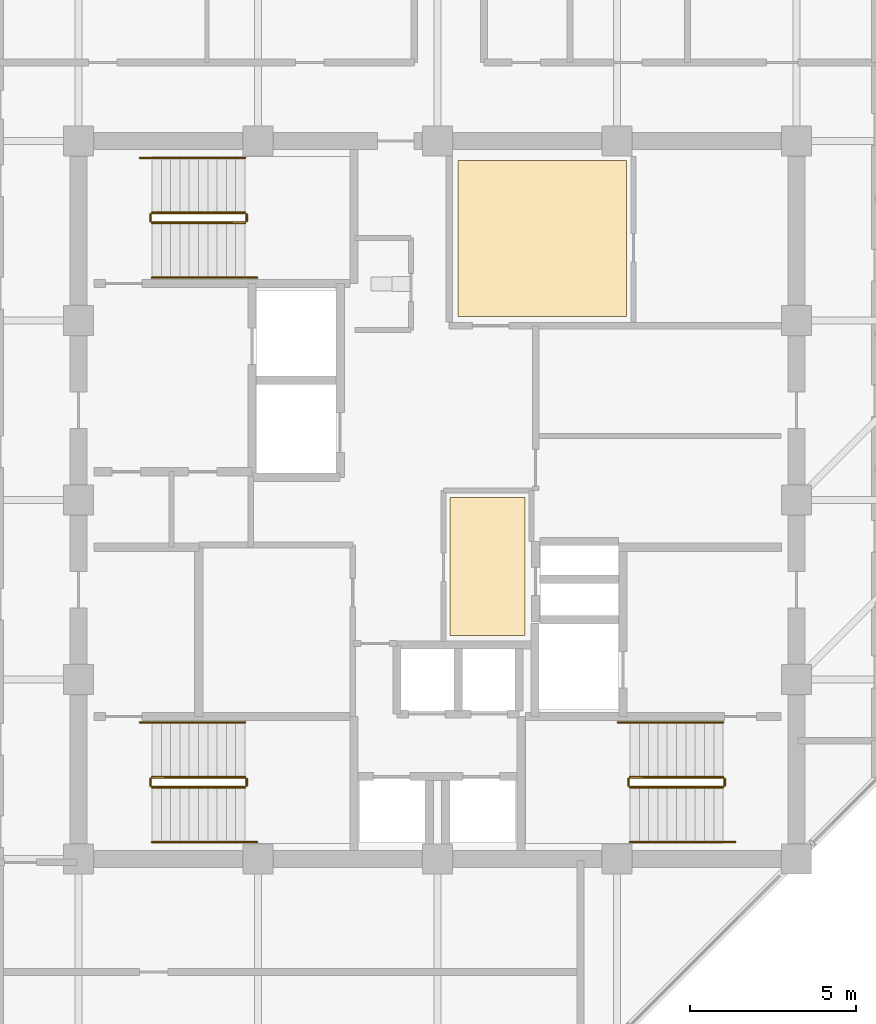
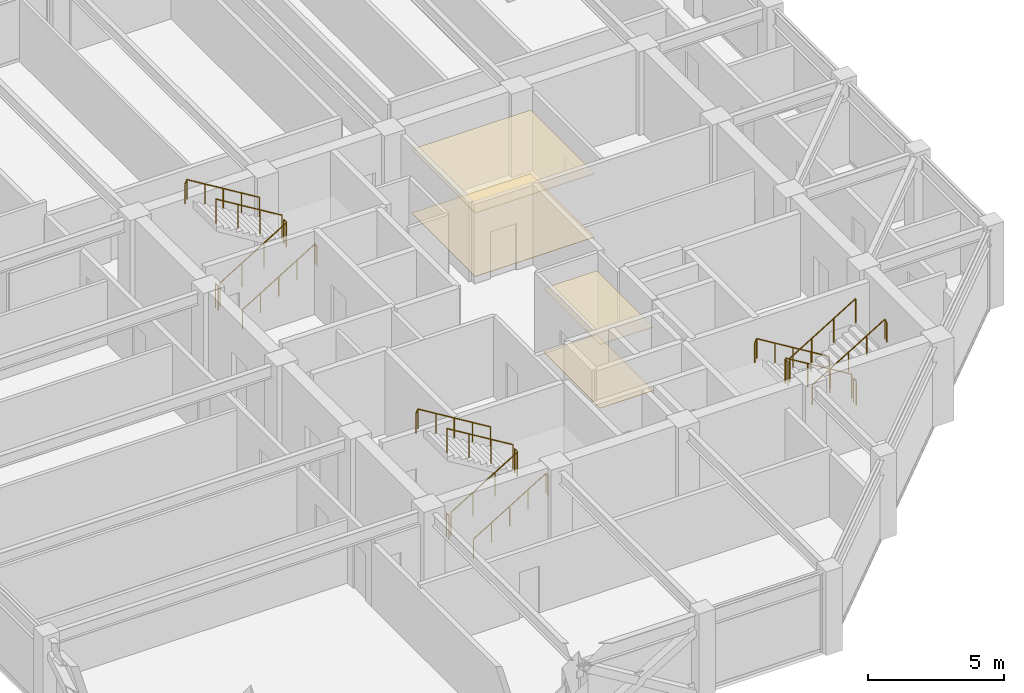
# One storey, part 30 of 31: 18 railings, 4 coverings.
"""IFC4 building model written with IfcOpenShell, lengths in metres."""

from ifc_helpers import new_model, si_unit, direction, frame, origin, origin_2d, place, context, subcontext, project, spatial, polyline, circle, outline, extrude, material, layer, layer_set, type_object, element, save


model = new_model("IFC4")

# Units and contexts
model_context = context("Model", 3, precision=1e-05, world=origin(), true_north=direction((0.0, 1.0)))
body_context = subcontext(model_context, "Body", "Model", "MODEL_VIEW")
ifc_project = project(units=[si_unit("LENGTHUNIT", "METRE"), si_unit("AREAUNIT", "SQUARE_METRE"), si_unit("VOLUMEUNIT", "CUBIC_METRE"), si_unit("PLANEANGLEUNIT", "RADIAN"), si_unit("MASSUNIT", "GRAM", prefix="KILO")], contexts=[model_context])

# Site, building, storey
site_placement = place(None, origin())
site = spatial("IfcSite", under=ifc_project, at=site_placement, CompositionType="ELEMENT")
building_placement = place(site_placement, origin())
building = spatial("IfcBuilding", under=site, at=building_placement, Name="Surkhivell Harbour Commons", CompositionType="ELEMENT")
storey_placement = place(building_placement, frame((0.0, 0.0, 330.0)))
storey = spatial("IfcBuildingStorey", under=building, at=storey_placement, Name="L86", CompositionType="ELEMENT", Elevation=330.0)

# Coverings
ifc_material_1 = material(Name="Perforated acoustic mineral-fibre ceiling tile", Category="other")
ifc_layer_1 = layer(ifc_material_1, 0.02490234375)
ifc_layer_set_1 = layer_set([ifc_layer_1], Name="Perforated acoustic mineral-fibre ceiling tile")
covering_type_1 = type_object("IfcCoveringType", Name="COV-CEIL-AC", PredefinedType="CEILING", material=ifc_layer_set_1)
covering_1_placement = place(storey_placement, frame((0.0, 0.0, 2.85205078125)))
element("IfcCovering", 1, at=covering_1_placement, inside=storey, type_object=covering_type_1, Name="L86 Suspended Acoustic Ceiling 1", PredefinedType="CEILING", context=body_context, shape_type="SweptSolid", body=[
    extrude(outline(polyline([(0.3701171875, -4.080078125), (2.6298828125, -4.080078125), (2.6298828125, 0.080078125), (0.3701171875, 0.080078125), (0.3701171875, -4.080078125)])), origin(), (0.0, 0.0, 1.0), 0.02490234375),
])
ifc_material_2 = material(Name="Moisture-resistant gypsum acoustic ceiling board", Category="other")
ifc_layer_2 = layer(ifc_material_2, 0.030029296875)
ifc_layer_set_2 = layer_set([ifc_layer_2], Name="Moisture-resistant gypsum acoustic ceiling board")
covering_type_2 = type_object("IfcCoveringType", Name="COV-CEIL-GYP", PredefinedType="CEILING", material=ifc_layer_set_2)
covering_2_placement = place(storey_placement, frame((0.0, 0.0, 2.846923828125)))
element("IfcCovering", 2, at=covering_2_placement, inside=storey, type_object=covering_type_2, Name="L86 Suspended Acoustic Ceiling 2", PredefinedType="CEILING", context=body_context, shape_type="SweptSolid", body=[
    extrude(outline(polyline([(0.6201171875, 5.52001953125), (5.679931640625, 5.52001953125), (5.679931640625, 10.219970703125), (0.6201171875, 10.219970703125), (0.6201171875, 5.52001953125)])), origin(), (0.0, 0.0, 1.0), 0.030029296875),
])
ifc_material_3 = material(Name="Engineered acoustic oak timber flooring", Category="wood")
ifc_layer_3 = layer(ifc_material_3, 0.02001953125)
ifc_layer_set_3 = layer_set([ifc_layer_3], Name="Engineered acoustic oak timber flooring")
covering_type_3 = type_object("IfcCoveringType", Name="COV-FLR-TIM", PredefinedType="FLOORING", material=ifc_layer_set_3)
covering_3_placement = place(storey_placement, origin())
element("IfcCovering", 3, at=covering_3_placement, inside=storey, type_object=covering_type_3, Name="L86 Interior Floor Finish 1", PredefinedType="FLOORING", context=body_context, shape_type="SweptSolid", body=[
    extrude(outline(polyline([(0.3701171875, -4.080078125), (2.6298828125, -4.080078125), (2.6298828125, 0.080078125), (0.3701171875, 0.080078125), (0.3701171875, -4.080078125)])), origin(), (0.0, 0.0, 1.0), 0.02001953125),
])
covering_4_placement = place(storey_placement, origin())
element("IfcCovering", 4, at=covering_4_placement, inside=storey, type_object=covering_type_3, Name="L86 Interior Floor Finish 2", PredefinedType="FLOORING", context=body_context, shape_type="SweptSolid", body=[
    extrude(outline(polyline([(0.6201171875, 5.52001953125), (5.679931640625, 5.52001953125), (5.679931640625, 10.219970703125), (0.6201171875, 10.219970703125), (0.6201171875, 5.52001953125)])), origin(), (0.0, 0.0, 1.0), 0.02001953125),
])

# Railings
ifc_material_4 = material(Name="Galvanised and painted steel S355 guard rail", Category="steel")
railing_type_1 = type_object("IfcRailingType", Name="RAL-ST-GRD1100", PredefinedType="GUARDRAIL", material=ifc_material_4)
railing_1_placement = place(storey_placement, frame((-8.590087890625, 8.340087890625, 0.17041015625)))
element("IfcRailing", 5, at=railing_1_placement, inside=storey, type_object=railing_type_1, Name="L86 ST1 stair guard 1", PredefinedType="GUARDRAIL", context=body_context, shape_type="SweptSolid", body=[
    extrude(circle(Radius=0.02392578125, at=origin_2d()), frame((0.0, 0.0, 1.076171875), z_axis=(0.854169791009, 0.0, 0.51999420009), x_axis=(0.0, 1.0, 0.0)), (0.0, 0.0, 1.0), 3.278076171875),
    extrude(circle(Radius=0.02099609375, at=origin_2d()), origin(), (0.0, 0.0, 1.0), 1.052001953125),
    extrude(circle(Radius=0.02099609375, at=origin_2d()), frame((0.933349609375, 0.0, 0.568115234375)), (0.0, 0.0, 1.0), 1.052001953125),
    extrude(circle(Radius=0.02099609375, at=origin_2d()), frame((1.86669921875, 0.0, 1.136474609375)), (0.0, 0.0, 1.0), 1.052001953125),
    extrude(circle(Radius=0.02099609375, at=origin_2d()), frame((2.800048828125, 0.0, 1.70458984375)), (0.0, 0.0, 1.0), 1.052001953125),
])
railing_2_placement = place(storey_placement, frame((-5.739990234375, 8.389892578125, 1.875)))
element("IfcRailing", 6, at=railing_2_placement, inside=storey, type_object=railing_type_1, Name="L86 ST1 stair guard 2", PredefinedType="GUARDRAIL", context=body_context, shape_type="SweptSolid", body=[
    extrude(circle(Radius=0.02392578125, at=origin_2d()), frame((0.0, 0.0, 1.076171875), z_axis=(0.0, 1.0, 0.0), x_axis=(-1.0, 0.0, 0.0)), (0.0, 0.0, 1.0), 0.2001953125),
    extrude(circle(Radius=0.02099609375, at=origin_2d()), origin(), (0.0, 0.0, 1.0), 1.052001953125),
    extrude(circle(Radius=0.02099609375, at=origin_2d()), frame((0.0, 0.2001953125, 0.0)), (0.0, 0.0, 1.0), 1.052001953125),
])
railing_3_placement = place(storey_placement, frame((-5.7900390625, 8.639892578125, 2.04541015625)))
element("IfcRailing", 7, at=railing_3_placement, inside=storey, type_object=railing_type_1, Name="L86 ST1 stair guard 3", PredefinedType="GUARDRAIL", context=body_context, shape_type="SweptSolid", body=[
    extrude(circle(Radius=0.02392578125, at=origin_2d()), frame((0.0, 0.0, 1.076171875), z_axis=(-0.854169791009, 0.0, 0.51999420009), x_axis=(0.0, -1.0, 0.0)), (0.0, 0.0, 1.0), 3.278076171875),
    extrude(circle(Radius=0.02099609375, at=origin_2d()), origin(), (0.0, 0.0, 1.0), 1.052001953125),
    extrude(circle(Radius=0.02099609375, at=origin_2d()), frame((-0.933349609375, 0.0, 0.568115234375)), (0.0, 0.0, 1.0), 1.052001953125),
    extrude(circle(Radius=0.02099609375, at=origin_2d()), frame((-1.86669921875, 0.0, 1.136474609375)), (0.0, 0.0, 1.0), 1.052001953125),
    extrude(circle(Radius=0.02099609375, at=origin_2d()), frame((-2.800048828125, 0.0, 1.70458984375)), (0.0, 0.0, 1.0), 1.052001953125),
])
railing_4_placement = place(storey_placement, frame((-8.639892578125, 8.389892578125, 0.0)))
element("IfcRailing", 8, at=railing_4_placement, inside=storey, type_object=railing_type_1, Name="L86 ST1 stair guard 4", PredefinedType="GUARDRAIL", context=body_context, shape_type="SweptSolid", body=[
    extrude(circle(Radius=0.02392578125, at=origin_2d()), frame((0.0, 0.0, 1.076171875), z_axis=(0.0, 1.0, 0.0), x_axis=(-1.0, 0.0, 0.0)), (0.0, 0.0, 1.0), 0.2001953125),
    extrude(circle(Radius=0.02099609375, at=origin_2d()), origin(), (0.0, 0.0, 1.0), 1.052001953125),
    extrude(circle(Radius=0.02099609375, at=origin_2d()), frame((0.0, 0.2001953125, 0.0)), (0.0, 0.0, 1.0), 1.052001953125),
])
railing_5_placement = place(storey_placement, frame((8.590087890625, -8.340087890625, 0.17041015625)))
element("IfcRailing", 9, at=railing_5_placement, inside=storey, type_object=railing_type_1, Name="L86 ST2 stair guard 1", PredefinedType="GUARDRAIL", context=body_context, shape_type="SweptSolid", body=[
    extrude(circle(Radius=0.02392578125, at=origin_2d()), frame((0.0, 0.0, 1.076171875), z_axis=(-0.854169791009, 0.0, 0.51999420009), x_axis=(0.0, -1.0, 0.0)), (0.0, 0.0, 1.0), 3.278076171875),
    extrude(circle(Radius=0.02099609375, at=origin_2d()), origin(), (0.0, 0.0, 1.0), 1.052001953125),
    extrude(circle(Radius=0.02099609375, at=origin_2d()), frame((-0.933349609375, 0.0, 0.568115234375)), (0.0, 0.0, 1.0), 1.052001953125),
    extrude(circle(Radius=0.02099609375, at=origin_2d()), frame((-1.86669921875, 0.0, 1.136474609375)), (0.0, 0.0, 1.0), 1.052001953125),
    extrude(circle(Radius=0.02099609375, at=origin_2d()), frame((-2.800048828125, 0.0, 1.70458984375)), (0.0, 0.0, 1.0), 1.052001953125),
])
railing_6_placement = place(storey_placement, frame((5.739990234375, -8.389892578125, 1.875)))
element("IfcRailing", 10, at=railing_6_placement, inside=storey, type_object=railing_type_1, Name="L86 ST2 stair guard 2", PredefinedType="GUARDRAIL", context=body_context, shape_type="SweptSolid", body=[
    extrude(circle(Radius=0.02392578125, at=origin_2d()), frame((0.0, 0.0, 1.076171875), z_axis=(0.0, -1.0, 0.0), x_axis=(1.0, 0.0, 0.0)), (0.0, 0.0, 1.0), 0.2001953125),
    extrude(circle(Radius=0.02099609375, at=origin_2d()), origin(), (0.0, 0.0, 1.0), 1.052001953125),
    extrude(circle(Radius=0.02099609375, at=origin_2d()), frame((0.0, -0.2001953125, 0.0)), (0.0, 0.0, 1.0), 1.052001953125),
])
railing_7_placement = place(storey_placement, frame((5.7900390625, -8.639892578125, 2.04541015625)))
element("IfcRailing", 11, at=railing_7_placement, inside=storey, type_object=railing_type_1, Name="L86 ST2 stair guard 3", PredefinedType="GUARDRAIL", context=body_context, shape_type="SweptSolid", body=[
    extrude(circle(Radius=0.02392578125, at=origin_2d()), frame((0.0, 0.0, 1.076171875), z_axis=(0.854169791009, 0.0, 0.51999420009), x_axis=(0.0, 1.0, 0.0)), (0.0, 0.0, 1.0), 3.278076171875),
    extrude(circle(Radius=0.02099609375, at=origin_2d()), origin(), (0.0, 0.0, 1.0), 1.052001953125),
    extrude(circle(Radius=0.02099609375, at=origin_2d()), frame((0.933349609375, 0.0, 0.568115234375)), (0.0, 0.0, 1.0), 1.052001953125),
    extrude(circle(Radius=0.02099609375, at=origin_2d()), frame((1.86669921875, 0.0, 1.136474609375)), (0.0, 0.0, 1.0), 1.052001953125),
    extrude(circle(Radius=0.02099609375, at=origin_2d()), frame((2.800048828125, 0.0, 1.70458984375)), (0.0, 0.0, 1.0), 1.052001953125),
])
railing_8_placement = place(storey_placement, frame((8.639892578125, -8.389892578125, 0.0)))
element("IfcRailing", 12, at=railing_8_placement, inside=storey, type_object=railing_type_1, Name="L86 ST2 stair guard 4", PredefinedType="GUARDRAIL", context=body_context, shape_type="SweptSolid", body=[
    extrude(circle(Radius=0.02392578125, at=origin_2d()), frame((0.0, 0.0, 1.076171875), z_axis=(0.0, -1.0, 0.0), x_axis=(1.0, 0.0, 0.0)), (0.0, 0.0, 1.0), 0.2001953125),
    extrude(circle(Radius=0.02099609375, at=origin_2d()), origin(), (0.0, 0.0, 1.0), 1.052001953125),
    extrude(circle(Radius=0.02099609375, at=origin_2d()), frame((0.0, -0.2001953125, 0.0)), (0.0, 0.0, 1.0), 1.052001953125),
])
railing_9_placement = place(storey_placement, frame((-8.590087890625, -8.639892578125, 0.17041015625)))
element("IfcRailing", 13, at=railing_9_placement, inside=storey, type_object=railing_type_1, Name="L86 ST3 stair guard 1", PredefinedType="GUARDRAIL", context=body_context, shape_type="SweptSolid", body=[
    extrude(circle(Radius=0.02392578125, at=origin_2d()), frame((0.0, 0.0, 1.076171875), z_axis=(0.854169791009, 0.0, 0.51999420009), x_axis=(0.0, 1.0, 0.0)), (0.0, 0.0, 1.0), 3.278076171875),
    extrude(circle(Radius=0.02099609375, at=origin_2d()), origin(), (0.0, 0.0, 1.0), 1.052001953125),
    extrude(circle(Radius=0.02099609375, at=origin_2d()), frame((0.933349609375, 0.0, 0.568115234375)), (0.0, 0.0, 1.0), 1.052001953125),
    extrude(circle(Radius=0.02099609375, at=origin_2d()), frame((1.86669921875, 0.0, 1.136474609375)), (0.0, 0.0, 1.0), 1.052001953125),
    extrude(circle(Radius=0.02099609375, at=origin_2d()), frame((2.800048828125, 0.0, 1.70458984375)), (0.0, 0.0, 1.0), 1.052001953125),
])
railing_10_placement = place(storey_placement, frame((-5.739990234375, -8.590087890625, 1.875)))
element("IfcRailing", 14, at=railing_10_placement, inside=storey, type_object=railing_type_1, Name="L86 ST3 stair guard 2", PredefinedType="GUARDRAIL", context=body_context, shape_type="SweptSolid", body=[
    extrude(circle(Radius=0.02392578125, at=origin_2d()), frame((0.0, 0.0, 1.076171875), z_axis=(0.0, 1.0, 0.0), x_axis=(-1.0, 0.0, 0.0)), (0.0, 0.0, 1.0), 0.2001953125),
    extrude(circle(Radius=0.02099609375, at=origin_2d()), origin(), (0.0, 0.0, 1.0), 1.052001953125),
    extrude(circle(Radius=0.02099609375, at=origin_2d()), frame((0.0, 0.2001953125, 0.0)), (0.0, 0.0, 1.0), 1.052001953125),
])
railing_11_placement = place(storey_placement, frame((-5.7900390625, -8.340087890625, 2.04541015625)))
element("IfcRailing", 15, at=railing_11_placement, inside=storey, type_object=railing_type_1, Name="L86 ST3 stair guard 3", PredefinedType="GUARDRAIL", context=body_context, shape_type="SweptSolid", body=[
    extrude(circle(Radius=0.02392578125, at=origin_2d()), frame((0.0, 0.0, 1.076171875), z_axis=(-0.854169791009, 0.0, 0.51999420009), x_axis=(0.0, -1.0, 0.0)), (0.0, 0.0, 1.0), 3.278076171875),
    extrude(circle(Radius=0.02099609375, at=origin_2d()), origin(), (0.0, 0.0, 1.0), 1.052001953125),
    extrude(circle(Radius=0.02099609375, at=origin_2d()), frame((-0.933349609375, 0.0, 0.568115234375)), (0.0, 0.0, 1.0), 1.052001953125),
    extrude(circle(Radius=0.02099609375, at=origin_2d()), frame((-1.86669921875, 0.0, 1.136474609375)), (0.0, 0.0, 1.0), 1.052001953125),
    extrude(circle(Radius=0.02099609375, at=origin_2d()), frame((-2.800048828125, 0.0, 1.70458984375)), (0.0, 0.0, 1.0), 1.052001953125),
])
railing_12_placement = place(storey_placement, frame((-8.639892578125, -8.590087890625, 0.0)))
element("IfcRailing", 16, at=railing_12_placement, inside=storey, type_object=railing_type_1, Name="L86 ST3 stair guard 4", PredefinedType="GUARDRAIL", context=body_context, shape_type="SweptSolid", body=[
    extrude(circle(Radius=0.02392578125, at=origin_2d()), frame((0.0, 0.0, 1.076171875), z_axis=(0.0, 1.0, 0.0), x_axis=(-1.0, 0.0, 0.0)), (0.0, 0.0, 1.0), 0.2001953125),
    extrude(circle(Radius=0.02099609375, at=origin_2d()), origin(), (0.0, 0.0, 1.0), 1.052001953125),
    extrude(circle(Radius=0.02099609375, at=origin_2d()), frame((0.0, 0.2001953125, 0.0)), (0.0, 0.0, 1.0), 1.052001953125),
])
ifc_material_5 = material(Name="Brushed stainless steel S355 handrail", Category="steel")
railing_type_2 = type_object("IfcRailingType", Name="RAL-ST-HND900", PredefinedType="HANDRAIL", material=ifc_material_5)
railing_13_placement = place(storey_placement, frame((-8.590087890625, 6.68994140625, 0.17041015625)))
element("IfcRailing", 17, at=railing_13_placement, inside=storey, type_object=railing_type_2, Name="L86 ST1 stair handrail 1", PredefinedType="HANDRAIL", context=body_context, shape_type="SweptSolid", body=[
    extrude(circle(Radius=0.02392578125, at=origin_2d()), frame((0.0, 0.0, 0.8759765625), z_axis=(0.854177636135, 0.0, 0.519981313056), x_axis=(0.0, 1.0, 0.0)), (0.0, 0.0, 1.0), 3.60595703125),
    extrude(circle(Radius=0.02392578125, at=origin_2d()), frame((3.080078125, 0.0, 2.7509765625), z_axis=(0.425297416671, 0.0, -0.905053648892), x_axis=(0.0, 1.0, 0.0)), (0.0, 0.0, 1.0), 0.188232421875),
    extrude(circle(Radius=0.02099609375, at=origin_2d()), origin(), (0.0, 0.0, 1.0), 0.851806640625),
    extrude(circle(Radius=0.02099609375, at=origin_2d()), frame((0.77001953125, 0.0, 0.46875)), (0.0, 0.0, 1.0), 0.851806640625),
    extrude(circle(Radius=0.02099609375, at=origin_2d()), frame((1.5400390625, 0.0, 0.9375)), (0.0, 0.0, 1.0), 0.851806640625),
    extrude(circle(Radius=0.02099609375, at=origin_2d()), frame((2.31005859375, 0.0, 1.40625)), (0.0, 0.0, 1.0), 0.851806640625),
    extrude(circle(Radius=0.02099609375, at=origin_2d()), frame((3.080078125, 0.0, 1.875)), (0.0, 0.0, 1.0), 0.851806640625),
    extrude(circle(Radius=0.02099609375, at=origin_2d()), frame((3.16015625, 0.0, 1.70458984375)), (0.0, 0.0, 1.0), 0.851806640625),
])
railing_14_placement = place(storey_placement, frame((-5.7900390625, 10.2900390625, 2.04541015625)))
element("IfcRailing", 18, at=railing_14_placement, inside=storey, type_object=railing_type_2, Name="L86 ST1 stair handrail 2", PredefinedType="HANDRAIL", context=body_context, shape_type="SweptSolid", body=[
    extrude(circle(Radius=0.02392578125, at=origin_2d()), frame((0.0, 0.0, 0.8759765625), z_axis=(-0.854177636135, 0.0, 0.519981313056), x_axis=(0.0, -1.0, 0.0)), (0.0, 0.0, 1.0), 3.60595703125),
    extrude(circle(Radius=0.02392578125, at=origin_2d()), frame((-3.080078125, 0.0, 2.7509765625), z_axis=(-0.424234432967, 0.0, -0.905552398199), x_axis=(0.0, -1.0, 0.0)), (0.0, 0.0, 1.0), 0.188232421875),
    extrude(circle(Radius=0.02099609375, at=origin_2d()), origin(), (0.0, 0.0, 1.0), 0.851806640625),
    extrude(circle(Radius=0.02099609375, at=origin_2d()), frame((-0.77001953125, 0.0, 0.46875)), (0.0, 0.0, 1.0), 0.851806640625),
    extrude(circle(Radius=0.02099609375, at=origin_2d()), frame((-1.5400390625, 0.0, 0.9375)), (0.0, 0.0, 1.0), 0.851806640625),
    extrude(circle(Radius=0.02099609375, at=origin_2d()), frame((-2.31005859375, 0.0, 1.40625)), (0.0, 0.0, 1.0), 0.851806640625),
    extrude(circle(Radius=0.02099609375, at=origin_2d()), frame((-3.080078125, 0.0, 1.875)), (0.0, 0.0, 1.0), 0.851806640625),
    extrude(circle(Radius=0.02099609375, at=origin_2d()), frame((-3.159912109375, 0.0, 1.70458984375)), (0.0, 0.0, 1.0), 0.851806640625),
])
railing_15_placement = place(storey_placement, frame((8.590087890625, -6.68994140625, 0.17041015625)))
element("IfcRailing", 19, at=railing_15_placement, inside=storey, type_object=railing_type_2, Name="L86 ST2 stair handrail 1", PredefinedType="HANDRAIL", context=body_context, shape_type="SweptSolid", body=[
    extrude(circle(Radius=0.02392578125, at=origin_2d()), frame((0.0, 0.0, 0.8759765625), z_axis=(-0.854177636135, 0.0, 0.519981313056), x_axis=(0.0, -1.0, 0.0)), (0.0, 0.0, 1.0), 3.60595703125),
    extrude(circle(Radius=0.02392578125, at=origin_2d()), frame((-3.080078125, 0.0, 2.7509765625), z_axis=(-0.425297416671, 0.0, -0.905053648892), x_axis=(0.0, -1.0, 0.0)), (0.0, 0.0, 1.0), 0.188232421875),
    extrude(circle(Radius=0.02099609375, at=origin_2d()), origin(), (0.0, 0.0, 1.0), 0.851806640625),
    extrude(circle(Radius=0.02099609375, at=origin_2d()), frame((-0.77001953125, 0.0, 0.46875)), (0.0, 0.0, 1.0), 0.851806640625),
    extrude(circle(Radius=0.02099609375, at=origin_2d()), frame((-1.5400390625, 0.0, 0.9375)), (0.0, 0.0, 1.0), 0.851806640625),
    extrude(circle(Radius=0.02099609375, at=origin_2d()), frame((-2.31005859375, 0.0, 1.40625)), (0.0, 0.0, 1.0), 0.851806640625),
    extrude(circle(Radius=0.02099609375, at=origin_2d()), frame((-3.080078125, 0.0, 1.875)), (0.0, 0.0, 1.0), 0.851806640625),
    extrude(circle(Radius=0.02099609375, at=origin_2d()), frame((-3.16015625, 0.0, 1.70458984375)), (0.0, 0.0, 1.0), 0.851806640625),
])
railing_16_placement = place(storey_placement, frame((5.7900390625, -10.2900390625, 2.04541015625)))
element("IfcRailing", 20, at=railing_16_placement, inside=storey, type_object=railing_type_2, Name="L86 ST2 stair handrail 2", PredefinedType="HANDRAIL", context=body_context, shape_type="SweptSolid", body=[
    extrude(circle(Radius=0.02392578125, at=origin_2d()), frame((0.0, 0.0, 0.8759765625), z_axis=(0.854177636135, 0.0, 0.519981313056), x_axis=(0.0, 1.0, 0.0)), (0.0, 0.0, 1.0), 3.60595703125),
    extrude(circle(Radius=0.02392578125, at=origin_2d()), frame((3.080078125, 0.0, 2.7509765625), z_axis=(0.424234432967, 0.0, -0.905552398199), x_axis=(0.0, 1.0, 0.0)), (0.0, 0.0, 1.0), 0.188232421875),
    extrude(circle(Radius=0.02099609375, at=origin_2d()), origin(), (0.0, 0.0, 1.0), 0.851806640625),
    extrude(circle(Radius=0.02099609375, at=origin_2d()), frame((0.77001953125, 0.0, 0.46875)), (0.0, 0.0, 1.0), 0.851806640625),
    extrude(circle(Radius=0.02099609375, at=origin_2d()), frame((1.5400390625, 0.0, 0.9375)), (0.0, 0.0, 1.0), 0.851806640625),
    extrude(circle(Radius=0.02099609375, at=origin_2d()), frame((2.31005859375, 0.0, 1.40625)), (0.0, 0.0, 1.0), 0.851806640625),
    extrude(circle(Radius=0.02099609375, at=origin_2d()), frame((3.080078125, 0.0, 1.875)), (0.0, 0.0, 1.0), 0.851806640625),
    extrude(circle(Radius=0.02099609375, at=origin_2d()), frame((3.159912109375, 0.0, 1.70458984375)), (0.0, 0.0, 1.0), 0.851806640625),
])
railing_17_placement = place(storey_placement, frame((-8.590087890625, -10.2900390625, 0.17041015625)))
element("IfcRailing", 21, at=railing_17_placement, inside=storey, type_object=railing_type_2, Name="L86 ST3 stair handrail 1", PredefinedType="HANDRAIL", context=body_context, shape_type="SweptSolid", body=[
    extrude(circle(Radius=0.02392578125, at=origin_2d()), frame((0.0, 0.0, 0.8759765625), z_axis=(0.854177636135, 0.0, 0.519981313056), x_axis=(0.0, 1.0, 0.0)), (0.0, 0.0, 1.0), 3.60595703125),
    extrude(circle(Radius=0.02392578125, at=origin_2d()), frame((3.080078125, 0.0, 2.7509765625), z_axis=(0.425297416671, 0.0, -0.905053648892), x_axis=(0.0, 1.0, 0.0)), (0.0, 0.0, 1.0), 0.188232421875),
    extrude(circle(Radius=0.02099609375, at=origin_2d()), origin(), (0.0, 0.0, 1.0), 0.851806640625),
    extrude(circle(Radius=0.02099609375, at=origin_2d()), frame((0.77001953125, 0.0, 0.46875)), (0.0, 0.0, 1.0), 0.851806640625),
    extrude(circle(Radius=0.02099609375, at=origin_2d()), frame((1.5400390625, 0.0, 0.9375)), (0.0, 0.0, 1.0), 0.851806640625),
    extrude(circle(Radius=0.02099609375, at=origin_2d()), frame((2.31005859375, 0.0, 1.40625)), (0.0, 0.0, 1.0), 0.851806640625),
    extrude(circle(Radius=0.02099609375, at=origin_2d()), frame((3.080078125, 0.0, 1.875)), (0.0, 0.0, 1.0), 0.851806640625),
    extrude(circle(Radius=0.02099609375, at=origin_2d()), frame((3.16015625, 0.0, 1.70458984375)), (0.0, 0.0, 1.0), 0.851806640625),
])
railing_18_placement = place(storey_placement, frame((-5.7900390625, -6.68994140625, 2.04541015625)))
element("IfcRailing", 22, at=railing_18_placement, inside=storey, type_object=railing_type_2, Name="L86 ST3 stair handrail 2", PredefinedType="HANDRAIL", context=body_context, shape_type="SweptSolid", body=[
    extrude(circle(Radius=0.02392578125, at=origin_2d()), frame((0.0, 0.0, 0.8759765625), z_axis=(-0.854177636135, 0.0, 0.519981313056), x_axis=(0.0, -1.0, 0.0)), (0.0, 0.0, 1.0), 3.60595703125),
    extrude(circle(Radius=0.02392578125, at=origin_2d()), frame((-3.080078125, 0.0, 2.7509765625), z_axis=(-0.424234432967, 0.0, -0.905552398199), x_axis=(0.0, -1.0, 0.0)), (0.0, 0.0, 1.0), 0.188232421875),
    extrude(circle(Radius=0.02099609375, at=origin_2d()), origin(), (0.0, 0.0, 1.0), 0.851806640625),
    extrude(circle(Radius=0.02099609375, at=origin_2d()), frame((-0.77001953125, 0.0, 0.46875)), (0.0, 0.0, 1.0), 0.851806640625),
    extrude(circle(Radius=0.02099609375, at=origin_2d()), frame((-1.5400390625, 0.0, 0.9375)), (0.0, 0.0, 1.0), 0.851806640625),
    extrude(circle(Radius=0.02099609375, at=origin_2d()), frame((-2.31005859375, 0.0, 1.40625)), (0.0, 0.0, 1.0), 0.851806640625),
    extrude(circle(Radius=0.02099609375, at=origin_2d()), frame((-3.080078125, 0.0, 1.875)), (0.0, 0.0, 1.0), 0.851806640625),
    extrude(circle(Radius=0.02099609375, at=origin_2d()), frame((-3.159912109375, 0.0, 1.70458984375)), (0.0, 0.0, 1.0), 0.851806640625),
])

save(model, "model.ifc")
